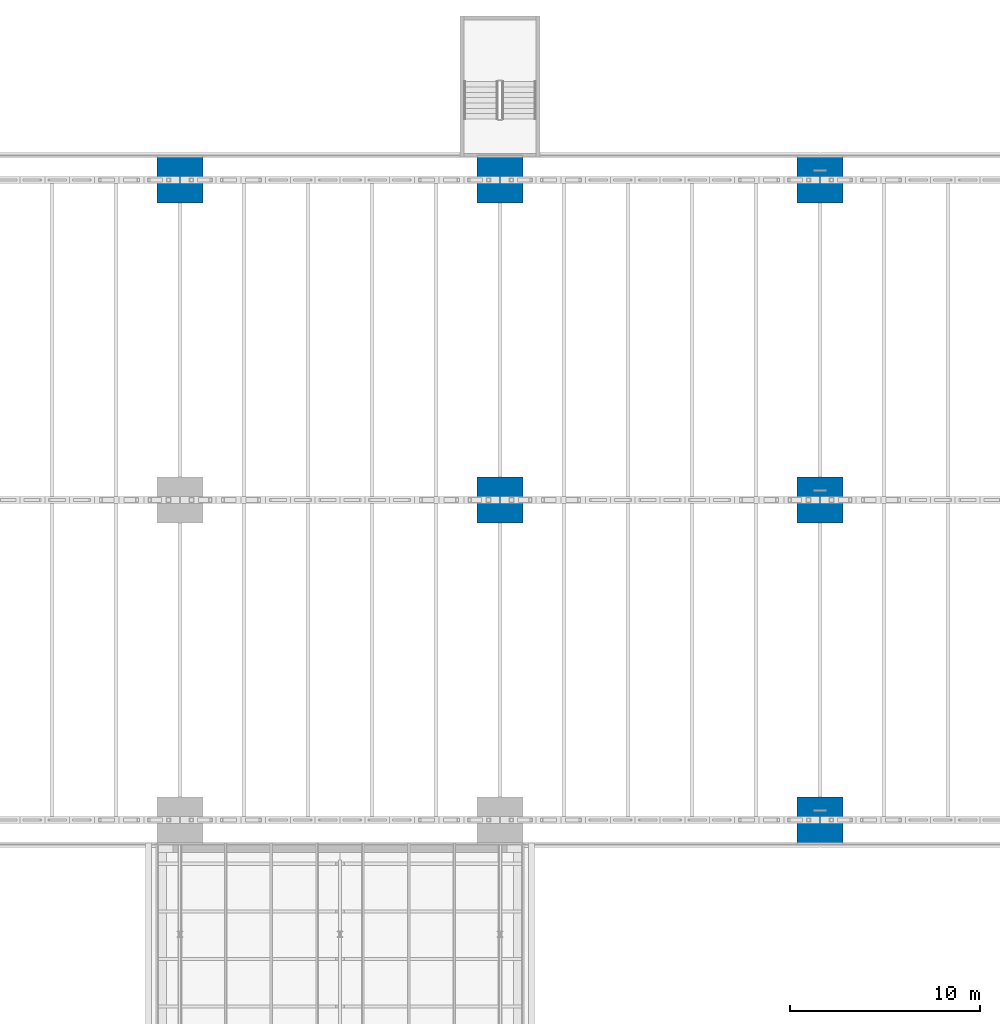
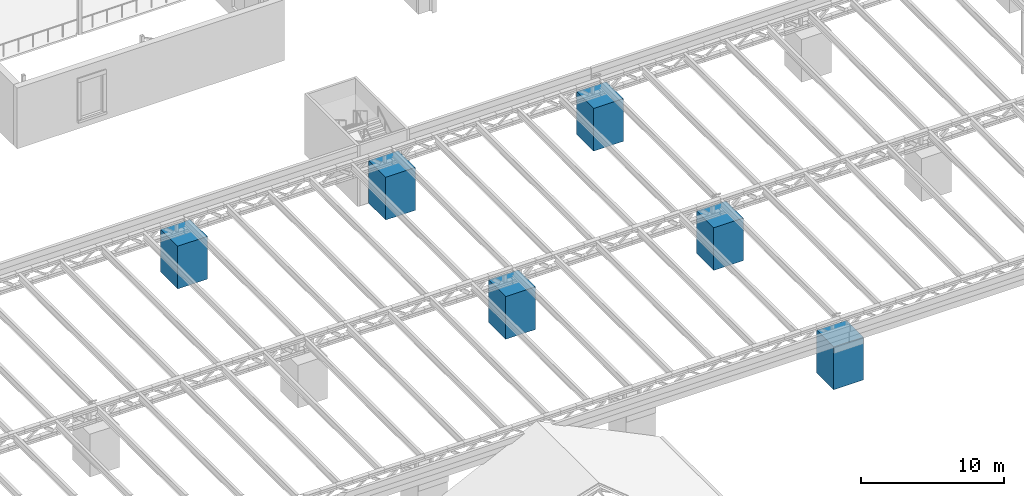
# One storey, part 6 of 93: 6 columns.
"""IFC4 building model written with IfcOpenShell, lengths in metres."""

from ifc_helpers import new_model, si_unit, direction, frame, origin, origin_2d, place, context, subcontext, project, spatial, rectangle, extrude, material, material_profile, profile_set, type_object, element, save


model = new_model("IFC4")

# Units and contexts
model_context = context("Model", 3, precision=1e-05, world=origin(), true_north=direction((0.0, 1.0)))
body_context = subcontext(model_context, "Body", "Model", "MODEL_VIEW")
ifc_project = project(units=[si_unit("LENGTHUNIT", "METRE"), si_unit("AREAUNIT", "SQUARE_METRE"), si_unit("VOLUMEUNIT", "CUBIC_METRE"), si_unit("PLANEANGLEUNIT", "RADIAN"), si_unit("MASSUNIT", "GRAM", prefix="KILO")], contexts=[model_context])

# Site, building, storey
site_placement = place(None, origin())
site = spatial("IfcSite", under=ifc_project, at=site_placement, CompositionType="ELEMENT")
building_placement = place(site_placement, origin())
building = spatial("IfcBuilding", under=site, at=building_placement, Name="Verrick Yard Athletic Hall", CompositionType="ELEMENT")
storey_placement = place(building_placement, frame((0.0, 0.0, 8.800048828125)))
storey = spatial("IfcBuildingStorey", under=building, at=storey_placement, Name="L02", CompositionType="ELEMENT", Elevation=8.800048828125)

# Columns
ifc_material = material(Name="Concrete 35 MPa", Category="concrete")
ifc_material_profile = material_profile(ifc_material, rectangle(XDim=2.39990234375, YDim=2.39990234375, at=origin_2d()), Name="STR Buttress pier PR1")
ifc_profile_set = profile_set([ifc_material_profile], Name="Concrete 35 MPa")
column_type = type_object("IfcColumnType", Name="STR Buttress pier PR1", PredefinedType="COLUMN", material=ifc_profile_set)
for number, where, z_axis, x_axis, name in (
    (1, (124.0, 19.199951171875, 0.0), (0.0, 0.0, 1.0), (1.0, 0.0, 0.0), "Buttress pier P6A"),
    (2, (107.199951171875, 36.0, 0.0), (0.0, 0.0, 1.0), (1.0, 0.0, 0.0), "Buttress pier P5B"),
    (3, (124.0, 36.0, 0.0), (0.0, 0.0, 1.0), (1.0, 0.0, 0.0), "Buttress pier P6B"),
    (4, (90.39990234375, 52.800048828125, 0.0), (0.0, 0.0, 1.0), (1.0, 0.0, 0.0), "Buttress pier P4C"),
    (5, (107.199951171875, 52.800048828125, 0.0), (0.0, 0.0, 1.0), (1.0, 0.0, 0.0), "Buttress pier P5C"),
    (6, (124.0, 52.800048828125, 0.0), (0.0, 0.0, 1.0), (1.0, 0.0, 0.0), "Buttress pier P6C"),
):
    element("IfcColumn", number, at=place(storey_placement, frame(where, z_axis=z_axis, x_axis=x_axis)), inside=storey, type_object=column_type, Name=name, PredefinedType="COLUMN", context=body_context, shape_type="SweptSolid", body=[
        extrude(rectangle(XDim=2.39990234375, YDim=2.39990234375, at=origin_2d()), origin(), (0.0, 0.0, 1.0), 3.64990234375),
    ])

save(model, "model.ifc")
